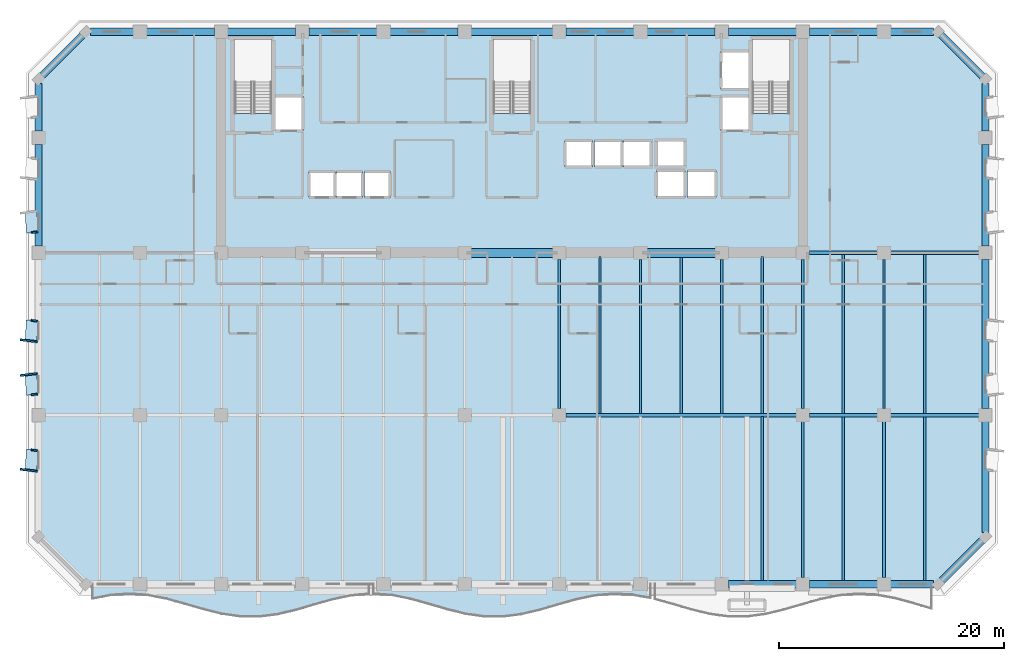
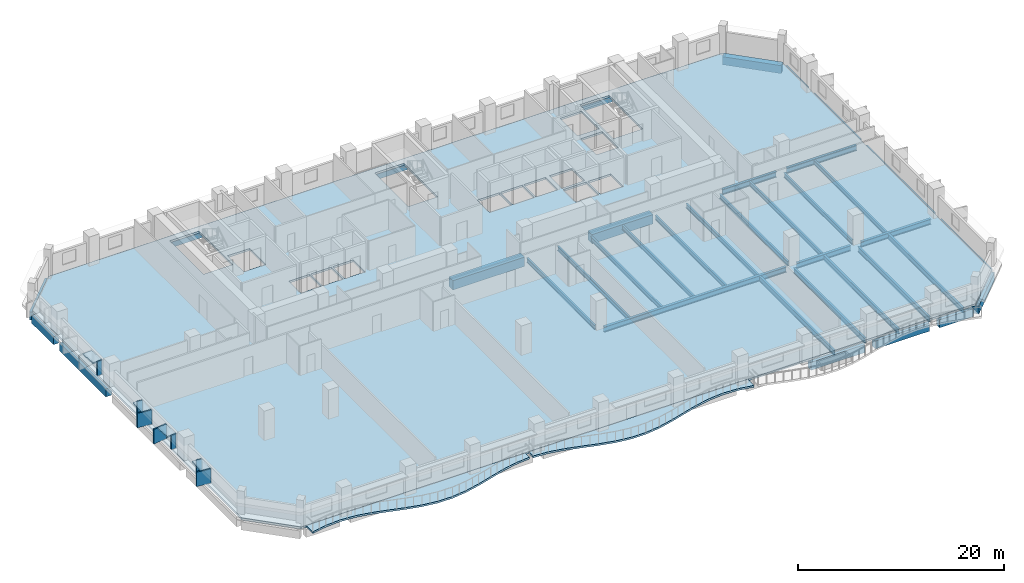
# One storey, part 2 of 14: 45 beams, 11 plates, 3 slabs.
"""IFC4 building model written with IfcOpenShell, lengths in metres."""

from ifc_helpers import new_model, si_unit, direction, frame, origin, origin_2d, place, context, subcontext, project, spatial, polyline, rectangle, i_section, outline, extrude, material, layer, layer_set, material_profile, profile_set, type_object, element, save


model = new_model("IFC4")

# Units and contexts
model_context = context("Model", 3, precision=1e-05, world=origin(), true_north=direction((0.0, 1.0)))
body_context = subcontext(model_context, "Body", "Model", "MODEL_VIEW")
ifc_project = project(units=[si_unit("LENGTHUNIT", "METRE"), si_unit("AREAUNIT", "SQUARE_METRE"), si_unit("VOLUMEUNIT", "CUBIC_METRE"), si_unit("PLANEANGLEUNIT", "RADIAN"), si_unit("MASSUNIT", "GRAM", prefix="KILO")], contexts=[model_context])

# Site, building, storey
site_placement = place(None, origin())
site = spatial("IfcSite", under=ifc_project, at=site_placement, CompositionType="ELEMENT")
building_placement = place(site_placement, origin())
building = spatial("IfcBuilding", under=site, at=building_placement, Name="Kaelvorn Grand Hotel", CompositionType="ELEMENT")
storey_placement = place(building_placement, frame((0.0, 0.0, 119.300048828125)))
storey = spatial("IfcBuildingStorey", under=building, at=storey_placement, Name="L28", CompositionType="ELEMENT", Elevation=119.300048828125)

# Beams
ifc_material_1 = material(Name="Steel S355", Category="steel")
ifc_material_profile_1 = material_profile(ifc_material_1, i_section(OverallWidth=0.300048828125, OverallDepth=0.64990234375, WebThickness=0.01611328125, FlangeThickness=0.031005859375, FilletRadius=0.027099609375, at=origin_2d()), Name="HEB 650")
ifc_profile_set_1 = profile_set([ifc_material_profile_1], Name="Steel S355")
beam_type_1 = type_object("IfcBeamType", Name="BM-G-HEB650-S355", PredefinedType="BEAM", material=ifc_profile_set_1)
beam_1_placement = place(storey_placement, frame((46.784912109375, 15.0, -0.56494140625), z_axis=(1.0, 0.0, 0.0), x_axis=(0.0, 1.0, 0.0)))
element("IfcBeam", 1, at=beam_1_placement, inside=storey, type_object=beam_type_1, Name="L28 Primary Spine Steel Girder G-15 05", PredefinedType="BEAM", context=body_context, shape_type="SweptSolid", body=[
    extrude(i_section(OverallWidth=0.300048828125, OverallDepth=0.64990234375, WebThickness=0.01611328125, FlangeThickness=0.031005859375, FilletRadius=0.027099609375, at=origin_2d()), origin(), (0.0, 0.0, 1.0), 20.43017578125),
])
beam_2_placement = place(storey_placement, frame((68.385009765625, 15.0, -0.56494140625), z_axis=(1.0, 0.0, 0.0), x_axis=(0.0, 1.0, 0.0)))
element("IfcBeam", 2, at=beam_2_placement, inside=storey, type_object=beam_type_1, Name="L28 Primary Spine Steel Girder G-15 06", PredefinedType="BEAM", context=body_context, shape_type="SweptSolid", body=[
    extrude(i_section(OverallWidth=0.300048828125, OverallDepth=0.64990234375, WebThickness=0.01611328125, FlangeThickness=0.031005859375, FilletRadius=0.027099609375, at=origin_2d()), origin(), (0.0, 0.0, 1.0), 6.030029296875),
])
beam_3_placement = place(storey_placement, frame((75.5849609375, 15.0, -0.56494140625), z_axis=(1.0, 0.0, 0.0), x_axis=(0.0, 1.0, 0.0)))
element("IfcBeam", 3, at=beam_3_placement, inside=storey, type_object=beam_type_1, Name="L28 Primary Spine Steel Girder G-15 07", PredefinedType="BEAM", context=body_context, shape_type="SweptSolid", body=[
    extrude(i_section(OverallWidth=0.300048828125, OverallDepth=0.64990234375, WebThickness=0.01611328125, FlangeThickness=0.031005859375, FilletRadius=0.027099609375, at=origin_2d()), origin(), (0.0, 0.0, 1.0), 7.830078125),
])
beam_4_placement = place(storey_placement, frame((68.385009765625, 29.39990234375, -0.56494140625), z_axis=(1.0, 0.0, 0.0), x_axis=(0.0, 1.0, 0.0)))
element("IfcBeam", 4, at=beam_4_placement, inside=storey, type_object=beam_type_1, Name="L28 East Core Wing Steel Girder G-29E 01", PredefinedType="BEAM", context=body_context, shape_type="SweptSolid", body=[
    extrude(i_section(OverallWidth=0.300048828125, OverallDepth=0.64990234375, WebThickness=0.01611328125, FlangeThickness=0.031005859375, FilletRadius=0.027099609375, at=origin_2d()), origin(), (0.0, 0.0, 1.0), 6.030029296875),
])
beam_5_placement = place(storey_placement, frame((75.5849609375, 29.39990234375, -0.56494140625), z_axis=(1.0, 0.0, 0.0), x_axis=(0.0, 1.0, 0.0)))
element("IfcBeam", 5, at=beam_5_placement, inside=storey, type_object=beam_type_1, Name="L28 East Core Wing Steel Girder G-29E 02", PredefinedType="BEAM", context=body_context, shape_type="SweptSolid", body=[
    extrude(i_section(OverallWidth=0.300048828125, OverallDepth=0.64990234375, WebThickness=0.01611328125, FlangeThickness=0.031005859375, FilletRadius=0.027099609375, at=origin_2d()), origin(), (0.0, 0.0, 1.0), 7.830078125),
])
ifc_material_profile_2 = material_profile(ifc_material_1, i_section(OverallWidth=0.209228515625, OverallDepth=0.533203125, WebThickness=0.010009765625, FlangeThickness=0.015625, FilletRadius=0.0126953125, at=origin_2d()), Name="UB 533x210x92")
ifc_profile_set_2 = profile_set([ifc_material_profile_2], Name="Steel S355")
beam_type_2 = type_object("IfcBeamType", Name="BM-J-UB533-S355", PredefinedType="JOIST", material=ifc_profile_set_2)
beam_6_placement = place(storey_placement, frame((46.199951171875, 15.5849609375, -0.506591796875), z_axis=(0.0, 1.0, 0.0), x_axis=(-1.0, 0.0, 0.0)))
element("IfcBeam", 6, at=beam_6_placement, inside=storey, type_object=beam_type_2, Name="L28 Composite Floor Joist JM-13", PredefinedType="JOIST", context=body_context, shape_type="SweptSolid", body=[
    extrude(i_section(OverallWidth=0.209228515625, OverallDepth=0.533203125, WebThickness=0.010009765625, FlangeThickness=0.015625, FilletRadius=0.0126953125, at=origin_2d()), origin(), (0.0, 0.0, 1.0), 13.22998046875),
])
beam_7_placement = place(storey_placement, frame((49.800048828125, 15.135009765625, -0.506591796875), z_axis=(0.0, 1.0, 0.0), x_axis=(-1.0, 0.0, 0.0)))
element("IfcBeam", 7, at=beam_7_placement, inside=storey, type_object=beam_type_2, Name="L28 Composite Floor Joist JM-14", PredefinedType="JOIST", context=body_context, shape_type="SweptSolid", body=[
    extrude(i_section(OverallWidth=0.209228515625, OverallDepth=0.533203125, WebThickness=0.010009765625, FlangeThickness=0.015625, FilletRadius=0.0126953125, at=origin_2d()), origin(), (0.0, 0.0, 1.0), 13.925048828125),
])
beam_8_placement = place(storey_placement, frame((53.39990234375, 15.135009765625, -0.506591796875), z_axis=(0.0, 1.0, 0.0), x_axis=(-1.0, 0.0, 0.0)))
element("IfcBeam", 8, at=beam_8_placement, inside=storey, type_object=beam_type_2, Name="L28 Composite Floor Joist JM-15", PredefinedType="JOIST", context=body_context, shape_type="SweptSolid", body=[
    extrude(i_section(OverallWidth=0.209228515625, OverallDepth=0.533203125, WebThickness=0.010009765625, FlangeThickness=0.015625, FilletRadius=0.0126953125, at=origin_2d()), origin(), (0.0, 0.0, 1.0), 13.679931640625),
])
beam_9_placement = place(storey_placement, frame((57.0, 15.135009765625, -0.506591796875), z_axis=(0.0, 1.0, 0.0), x_axis=(-1.0, 0.0, 0.0)))
element("IfcBeam", 9, at=beam_9_placement, inside=storey, type_object=beam_type_2, Name="L28 Composite Floor Joist JM-16", PredefinedType="JOIST", context=body_context, shape_type="SweptSolid", body=[
    extrude(i_section(OverallWidth=0.209228515625, OverallDepth=0.533203125, WebThickness=0.010009765625, FlangeThickness=0.015625, FilletRadius=0.0126953125, at=origin_2d()), origin(), (0.0, 0.0, 1.0), 13.925048828125),
])
beam_10_placement = place(storey_placement, frame((60.60009765625, 15.135009765625, -0.506591796875), z_axis=(0.0, 1.0, 0.0), x_axis=(-1.0, 0.0, 0.0)))
element("IfcBeam", 10, at=beam_10_placement, inside=storey, type_object=beam_type_2, Name="L28 Composite Floor Joist JM-17", PredefinedType="JOIST", context=body_context, shape_type="SweptSolid", body=[
    extrude(i_section(OverallWidth=0.209228515625, OverallDepth=0.533203125, WebThickness=0.010009765625, FlangeThickness=0.015625, FilletRadius=0.0126953125, at=origin_2d()), origin(), (0.0, 0.0, 1.0), 13.679931640625),
])
beam_11_placement = place(storey_placement, frame((64.199951171875, 15.135009765625, -0.506591796875), z_axis=(0.0, 1.0, 0.0), x_axis=(-1.0, 0.0, 0.0)))
element("IfcBeam", 11, at=beam_11_placement, inside=storey, type_object=beam_type_2, Name="L28 Composite Floor Joist JM-18", PredefinedType="JOIST", context=body_context, shape_type="SweptSolid", body=[
    extrude(i_section(OverallWidth=0.209228515625, OverallDepth=0.533203125, WebThickness=0.010009765625, FlangeThickness=0.015625, FilletRadius=0.0126953125, at=origin_2d()), origin(), (0.0, 0.0, 1.0), 13.925048828125),
])
beam_12_placement = place(storey_placement, frame((67.800048828125, 15.5849609375, -0.506591796875), z_axis=(0.0, 1.0, 0.0), x_axis=(-1.0, 0.0, 0.0)))
element("IfcBeam", 12, at=beam_12_placement, inside=storey, type_object=beam_type_2, Name="L28 Composite Floor Joist JM-19", PredefinedType="JOIST", context=body_context, shape_type="SweptSolid", body=[
    extrude(i_section(OverallWidth=0.209228515625, OverallDepth=0.533203125, WebThickness=0.010009765625, FlangeThickness=0.015625, FilletRadius=0.0126953125, at=origin_2d()), origin(), (0.0, 0.0, 1.0), 13.22998046875),
])
beam_13_placement = place(storey_placement, frame((71.39990234375, 15.135009765625, -0.506591796875), z_axis=(0.0, 1.0, 0.0), x_axis=(-1.0, 0.0, 0.0)))
element("IfcBeam", 13, at=beam_13_placement, inside=storey, type_object=beam_type_2, Name="L28 Composite Floor Joist JM-20", PredefinedType="JOIST", context=body_context, shape_type="SweptSolid", body=[
    extrude(i_section(OverallWidth=0.209228515625, OverallDepth=0.533203125, WebThickness=0.010009765625, FlangeThickness=0.015625, FilletRadius=0.0126953125, at=origin_2d()), origin(), (0.0, 0.0, 1.0), 14.1298828125),
])
beam_14_placement = place(storey_placement, frame((75.0, 15.5849609375, -0.506591796875), z_axis=(0.0, 1.0, 0.0), x_axis=(-1.0, 0.0, 0.0)))
element("IfcBeam", 14, at=beam_14_placement, inside=storey, type_object=beam_type_2, Name="L28 Composite Floor Joist JM-21", PredefinedType="JOIST", context=body_context, shape_type="SweptSolid", body=[
    extrude(i_section(OverallWidth=0.209228515625, OverallDepth=0.533203125, WebThickness=0.010009765625, FlangeThickness=0.015625, FilletRadius=0.0126953125, at=origin_2d()), origin(), (0.0, 0.0, 1.0), 13.22998046875),
])
beam_15_placement = place(storey_placement, frame((78.60009765625, 15.135009765625, -0.506591796875), z_axis=(0.0, 1.0, 0.0), x_axis=(-1.0, 0.0, 0.0)))
element("IfcBeam", 15, at=beam_15_placement, inside=storey, type_object=beam_type_2, Name="L28 Composite Floor Joist JM-22", PredefinedType="JOIST", context=body_context, shape_type="SweptSolid", body=[
    extrude(i_section(OverallWidth=0.209228515625, OverallDepth=0.533203125, WebThickness=0.010009765625, FlangeThickness=0.015625, FilletRadius=0.0126953125, at=origin_2d()), origin(), (0.0, 0.0, 1.0), 14.1298828125),
])
ifc_material_profile_3 = material_profile(ifc_material_1, i_section(OverallWidth=0.22900390625, OverallDepth=0.6123046875, WebThickness=0.011962890625, FlangeThickness=0.01953125, FilletRadius=0.0126953125, at=origin_2d()), Name="UB 610x229x125")
ifc_profile_set_3 = profile_set([ifc_material_profile_3], Name="Steel S355")
beam_type_3 = type_object("IfcBeamType", Name="BM-J-UB610-S355", PredefinedType="JOIST", material=ifc_profile_set_3)
beam_16_placement = place(storey_placement, frame((64.199951171875, 0.31005859375, -0.546142578125), z_axis=(0.0, 1.0, 0.0), x_axis=(-1.0, 0.0, 0.0)))
element("IfcBeam", 16, at=beam_16_placement, inside=storey, type_object=beam_type_3, Name="L28 Composite Floor Joist JS-18", PredefinedType="JOIST", context=body_context, shape_type="SweptSolid", body=[
    extrude(i_section(OverallWidth=0.22900390625, OverallDepth=0.6123046875, WebThickness=0.011962890625, FlangeThickness=0.01953125, FilletRadius=0.0126953125, at=origin_2d()), origin(), (0.0, 0.0, 1.0), 14.554931640625),
])
beam_17_placement = place(storey_placement, frame((67.800048828125, 0.5849609375, -0.546142578125), z_axis=(0.0, 1.0, 0.0), x_axis=(-1.0, 0.0, 0.0)))
element("IfcBeam", 17, at=beam_17_placement, inside=storey, type_object=beam_type_3, Name="L28 Composite Floor Joist JS-19", PredefinedType="JOIST", context=body_context, shape_type="SweptSolid", body=[
    extrude(i_section(OverallWidth=0.22900390625, OverallDepth=0.6123046875, WebThickness=0.011962890625, FlangeThickness=0.01953125, FilletRadius=0.0126953125, at=origin_2d()), origin(), (0.0, 0.0, 1.0), 13.830078125),
])
beam_18_placement = place(storey_placement, frame((71.39990234375, 0.31005859375, -0.546142578125), z_axis=(0.0, 1.0, 0.0), x_axis=(-1.0, 0.0, 0.0)))
element("IfcBeam", 18, at=beam_18_placement, inside=storey, type_object=beam_type_3, Name="L28 Composite Floor Joist JS-20", PredefinedType="JOIST", context=body_context, shape_type="SweptSolid", body=[
    extrude(i_section(OverallWidth=0.22900390625, OverallDepth=0.6123046875, WebThickness=0.011962890625, FlangeThickness=0.01953125, FilletRadius=0.0126953125, at=origin_2d()), origin(), (0.0, 0.0, 1.0), 14.554931640625),
])
beam_19_placement = place(storey_placement, frame((75.0, 0.5849609375, -0.546142578125), z_axis=(0.0, 1.0, 0.0), x_axis=(-1.0, 0.0, 0.0)))
element("IfcBeam", 19, at=beam_19_placement, inside=storey, type_object=beam_type_3, Name="L28 Composite Floor Joist JS-21", PredefinedType="JOIST", context=body_context, shape_type="SweptSolid", body=[
    extrude(i_section(OverallWidth=0.22900390625, OverallDepth=0.6123046875, WebThickness=0.011962890625, FlangeThickness=0.01953125, FilletRadius=0.0126953125, at=origin_2d()), origin(), (0.0, 0.0, 1.0), 13.830078125),
])
beam_20_placement = place(storey_placement, frame((78.60009765625, 0.31005859375, -0.546142578125), z_axis=(0.0, 1.0, 0.0), x_axis=(-1.0, 0.0, 0.0)))
element("IfcBeam", 20, at=beam_20_placement, inside=storey, type_object=beam_type_3, Name="L28 Composite Floor Joist JS-22", PredefinedType="JOIST", context=body_context, shape_type="SweptSolid", body=[
    extrude(i_section(OverallWidth=0.22900390625, OverallDepth=0.6123046875, WebThickness=0.011962890625, FlangeThickness=0.01953125, FilletRadius=0.0126953125, at=origin_2d()), origin(), (0.0, 0.0, 1.0), 14.554931640625),
])
ifc_material_2 = material(Name="Concrete C60/75", Category="concrete")
ifc_material_profile_4 = material_profile(ifc_material_2, rectangle(XDim=0.800048828125, YDim=1.10009765625, at=origin_2d()), Name="RC LINTEL 800x1100")
ifc_profile_set_4 = profile_set([ifc_material_profile_4], Name="Concrete C60/75")
beam_type_4 = type_object("IfcBeamType", Name="BM-LIN-800x1100-C60", PredefinedType="LINTEL", material=ifc_profile_set_4)
beam_21_placement = place(storey_placement, frame((37.97998046875, 29.39990234375, -0.7900390625), z_axis=(1.0, 0.0, 0.0), x_axis=(0.0, 1.0, 0.0)))
element("IfcBeam", 21, at=beam_21_placement, inside=storey, type_object=beam_type_4, Name="L28 Rear-Core Coupling Lintel Beam CB1-02", PredefinedType="LINTEL", context=body_context, shape_type="SweptSolid", body=[
    extrude(rectangle(XDim=0.800048828125, YDim=1.10009765625, at=origin_2d()), origin(), (0.0, 0.0, 1.0), 8.0400390625),
])
beam_22_placement = place(storey_placement, frame((53.580078125, 29.39990234375, -0.7900390625), z_axis=(1.0, 0.0, 0.0), x_axis=(0.0, 1.0, 0.0)))
element("IfcBeam", 22, at=beam_22_placement, inside=storey, type_object=beam_type_4, Name="L28 Rear-Core Coupling Lintel Beam CB1-03", PredefinedType="LINTEL", context=body_context, shape_type="SweptSolid", body=[
    extrude(rectangle(XDim=0.800048828125, YDim=1.10009765625, at=origin_2d()), origin(), (0.0, 0.0, 1.0), 6.83984375),
])
ifc_material_profile_5 = material_profile(ifc_material_2, rectangle(XDim=0.64990234375, YDim=0.949951171875, at=origin_2d()), Name="RC SPANDREL 650x950")
ifc_profile_set_5 = profile_set([ifc_material_profile_5], Name="Concrete C60/75")
beam_type_5 = type_object("IfcBeamType", Name="BM-SP-650x950-C60", PredefinedType="SPANDREL", material=ifc_profile_set_5)
for number, where, z_axis, x_axis, name in (
    (23, (61.18505859375, 0.0, -0.715087890625), (1.0, 0.0, 0.0), (0.0, 1.0, 0.0), "L28 South Perimeter Spandrel 09"),
    (24, (68.385009765625, 0.0, -0.715087890625), (1.0, 0.0, 0.0), (0.0, 1.0, 0.0), "L28 South Perimeter Spandrel 10"),
):
    element("IfcBeam", number, at=place(storey_placement, frame(where, z_axis=z_axis, x_axis=x_axis)), inside=storey, type_object=beam_type_5, Name=name, PredefinedType="SPANDREL", context=body_context, shape_type="SweptSolid", body=[
        extrude(rectangle(XDim=0.64990234375, YDim=0.949951171875, at=origin_2d()), origin(), (0.0, 0.0, 1.0), 6.030029296875),
    ])
for number, where, z_axis, x_axis, name in (
    (25, (75.5849609375, 0.0, -0.715087890625), (1.0, 0.0, 0.0), (0.0, 1.0, 0.0), "L28 South Perimeter Spandrel 11"),
    (26, (4.60498046875, 49.0, -0.715087890625), (1.0, 0.0, 0.0), (0.0, 1.0, 0.0), "L28 North Perimeter Spandrel 01"),
):
    element("IfcBeam", number, at=place(storey_placement, frame(where, z_axis=z_axis, x_axis=x_axis)), inside=storey, type_object=beam_type_5, Name=name, PredefinedType="SPANDREL", context=body_context, shape_type="SweptSolid", body=[
        extrude(rectangle(XDim=0.64990234375, YDim=0.949951171875, at=origin_2d()), origin(), (0.0, 0.0, 1.0), 3.81005859375),
    ])
for number, where, z_axis, x_axis, name in (
    (27, (9.5849609375, 49.0, -0.715087890625), (1.0, 0.0, 0.0), (0.0, 1.0, 0.0), "L28 North Perimeter Spandrel 02"),
    (28, (16.784912109375, 49.0, -0.715087890625), (1.0, 0.0, 0.0), (0.0, 1.0, 0.0), "L28 North Perimeter Spandrel 03"),
):
    element("IfcBeam", number, at=place(storey_placement, frame(where, z_axis=z_axis, x_axis=x_axis)), inside=storey, type_object=beam_type_5, Name=name, PredefinedType="SPANDREL", context=body_context, shape_type="SweptSolid", body=[
        extrude(rectangle(XDim=0.64990234375, YDim=0.949951171875, at=origin_2d()), origin(), (0.0, 0.0, 1.0), 6.030029296875),
    ])
beam_23_placement = place(storey_placement, frame((23.985107421875, 49.0, -0.715087890625), z_axis=(1.0, 0.0, 0.0), x_axis=(0.0, 1.0, 0.0)))
element("IfcBeam", 29, at=beam_23_placement, inside=storey, type_object=beam_type_5, Name="L28 North Perimeter Spandrel 04", PredefinedType="SPANDREL", context=body_context, shape_type="SweptSolid", body=[
    extrude(rectangle(XDim=0.64990234375, YDim=0.949951171875, at=origin_2d()), origin(), (0.0, 0.0, 1.0), 6.02978515625),
])
beam_24_placement = place(storey_placement, frame((31.18505859375, 49.0, -0.715087890625), z_axis=(1.0, 0.0, 0.0), x_axis=(0.0, 1.0, 0.0)))
element("IfcBeam", 30, at=beam_24_placement, inside=storey, type_object=beam_type_5, Name="L28 North Perimeter Spandrel 05", PredefinedType="SPANDREL", context=body_context, shape_type="SweptSolid", body=[
    extrude(rectangle(XDim=0.64990234375, YDim=0.949951171875, at=origin_2d()), origin(), (0.0, 0.0, 1.0), 6.030029296875),
])
beam_25_placement = place(storey_placement, frame((38.385009765625, 49.0, -0.715087890625), z_axis=(1.0, 0.0, 0.0), x_axis=(0.0, 1.0, 0.0)))
element("IfcBeam", 31, at=beam_25_placement, inside=storey, type_object=beam_type_5, Name="L28 North Perimeter Spandrel 06", PredefinedType="SPANDREL", context=body_context, shape_type="SweptSolid", body=[
    extrude(rectangle(XDim=0.64990234375, YDim=0.949951171875, at=origin_2d()), origin(), (0.0, 0.0, 1.0), 7.22998046875),
])
beam_26_placement = place(storey_placement, frame((46.784912109375, 49.0, -0.715087890625), z_axis=(1.0, 0.0, 0.0), x_axis=(0.0, 1.0, 0.0)))
element("IfcBeam", 32, at=beam_26_placement, inside=storey, type_object=beam_type_5, Name="L28 North Perimeter Spandrel 07", PredefinedType="SPANDREL", context=body_context, shape_type="SweptSolid", body=[
    extrude(rectangle(XDim=0.64990234375, YDim=0.949951171875, at=origin_2d()), origin(), (0.0, 0.0, 1.0), 6.030029296875),
])
beam_27_placement = place(storey_placement, frame((53.985107421875, 49.0, -0.715087890625), z_axis=(1.0, 0.0, 0.0), x_axis=(0.0, 1.0, 0.0)))
element("IfcBeam", 33, at=beam_27_placement, inside=storey, type_object=beam_type_5, Name="L28 North Perimeter Spandrel 08", PredefinedType="SPANDREL", context=body_context, shape_type="SweptSolid", body=[
    extrude(rectangle(XDim=0.64990234375, YDim=0.949951171875, at=origin_2d()), origin(), (0.0, 0.0, 1.0), 6.02978515625),
])
for number, where, z_axis, x_axis, name in (
    (34, (61.18505859375, 49.0, -0.715087890625), (1.0, 0.0, 0.0), (0.0, 1.0, 0.0), "L28 North Perimeter Spandrel 09"),
    (35, (68.385009765625, 49.0, -0.715087890625), (1.0, 0.0, 0.0), (0.0, 1.0, 0.0), "L28 North Perimeter Spandrel 10"),
):
    element("IfcBeam", number, at=place(storey_placement, frame(where, z_axis=z_axis, x_axis=x_axis)), inside=storey, type_object=beam_type_5, Name=name, PredefinedType="SPANDREL", context=body_context, shape_type="SweptSolid", body=[
        extrude(rectangle(XDim=0.64990234375, YDim=0.949951171875, at=origin_2d()), origin(), (0.0, 0.0, 1.0), 6.030029296875),
    ])
beam_28_placement = place(storey_placement, frame((75.5849609375, 49.0, -0.715087890625), z_axis=(1.0, 0.0, 0.0), x_axis=(0.0, 1.0, 0.0)))
element("IfcBeam", 36, at=beam_28_placement, inside=storey, type_object=beam_type_5, Name="L28 North Perimeter Spandrel 11", PredefinedType="SPANDREL", context=body_context, shape_type="SweptSolid", body=[
    extrude(rectangle(XDim=0.64990234375, YDim=0.949951171875, at=origin_2d()), origin(), (0.0, 0.0, 1.0), 3.81005859375),
])
beam_29_placement = place(storey_placement, frame((0.0, 29.985107421875, -0.715087890625), z_axis=(0.0, 1.0, 0.0), x_axis=(-1.0, 0.0, 0.0)))
element("IfcBeam", 37, at=beam_29_placement, inside=storey, type_object=beam_type_5, Name="L28 West Perimeter Spandrel 03", PredefinedType="SPANDREL", context=body_context, shape_type="SweptSolid", body=[
    extrude(rectangle(XDim=0.64990234375, YDim=0.949951171875, at=origin_2d()), origin(), (0.0, 0.0, 1.0), 9.02978515625),
])
beam_30_placement = place(storey_placement, frame((0.0, 40.18505859375, -0.715087890625), z_axis=(0.0, 1.0, 0.0), x_axis=(-1.0, 0.0, 0.0)))
element("IfcBeam", 38, at=beam_30_placement, inside=storey, type_object=beam_type_5, Name="L28 West Perimeter Spandrel 04", PredefinedType="SPANDREL", context=body_context, shape_type="SweptSolid", body=[
    extrude(rectangle(XDim=0.64990234375, YDim=0.949951171875, at=origin_2d()), origin(), (0.0, 0.0, 1.0), 4.2099609375),
])
beam_31_placement = place(storey_placement, frame((84.0, 4.60498046875, -0.715087890625), z_axis=(0.0, 1.0, 0.0), x_axis=(-1.0, 0.0, 0.0)))
element("IfcBeam", 39, at=beam_31_placement, inside=storey, type_object=beam_type_5, Name="L28 East Perimeter Spandrel 01", PredefinedType="SPANDREL", context=body_context, shape_type="SweptSolid", body=[
    extrude(rectangle(XDim=0.64990234375, YDim=0.949951171875, at=origin_2d()), origin(), (0.0, 0.0, 1.0), 9.81005859375),
])
beam_32_placement = place(storey_placement, frame((84.0, 15.5849609375, -0.715087890625), z_axis=(0.0, 1.0, 0.0), x_axis=(-1.0, 0.0, 0.0)))
element("IfcBeam", 40, at=beam_32_placement, inside=storey, type_object=beam_type_5, Name="L28 East Perimeter Spandrel 02", PredefinedType="SPANDREL", context=body_context, shape_type="SweptSolid", body=[
    extrude(rectangle(XDim=0.64990234375, YDim=0.949951171875, at=origin_2d()), origin(), (0.0, 0.0, 1.0), 13.22998046875),
])
beam_33_placement = place(storey_placement, frame((84.0, 29.985107421875, -0.715087890625), z_axis=(0.0, 1.0, 0.0), x_axis=(-1.0, 0.0, 0.0)))
element("IfcBeam", 41, at=beam_33_placement, inside=storey, type_object=beam_type_5, Name="L28 East Perimeter Spandrel 03", PredefinedType="SPANDREL", context=body_context, shape_type="SweptSolid", body=[
    extrude(rectangle(XDim=0.64990234375, YDim=0.949951171875, at=origin_2d()), origin(), (0.0, 0.0, 1.0), 9.02978515625),
])
beam_34_placement = place(storey_placement, frame((84.0, 40.18505859375, -0.715087890625), z_axis=(0.0, 1.0, 0.0), x_axis=(-1.0, 0.0, 0.0)))
element("IfcBeam", 42, at=beam_34_placement, inside=storey, type_object=beam_type_5, Name="L28 East Perimeter Spandrel 04", PredefinedType="SPANDREL", context=body_context, shape_type="SweptSolid", body=[
    extrude(rectangle(XDim=0.64990234375, YDim=0.949951171875, at=origin_2d()), origin(), (0.0, 0.0, 1.0), 4.2099609375),
])
for number, where, z_axis, x_axis, name in (
    (43, (79.800048828125, 0.0, -0.715087890625), (0.707106781187, 0.707106781187, 0.0), (-0.707106781187, 0.707106781187, 0.0), "L28 Chamfer Spandrel Beam 1"),
    (44, (84.0, 44.800048828125, -0.715087890625), (-0.707106781187, 0.707106781187, 0.0), (-0.707106781187, -0.707106781187, 0.0), "L28 Chamfer Spandrel Beam 2"),
    (45, (4.199951171875, 49.0, -0.715087890625), (-0.707106781187, -0.707106781187, 0.0), (0.707106781187, -0.707106781187, 0.0), "L28 Chamfer Spandrel Beam 3"),
):
    element("IfcBeam", number, at=place(storey_placement, frame(where, z_axis=z_axis, x_axis=x_axis)), inside=storey, type_object=beam_type_5, Name=name, PredefinedType="SPANDREL", context=body_context, shape_type="SweptSolid", body=[
        extrude(rectangle(XDim=0.64990234375, YDim=0.949951171875, at=origin_2d()), origin(), (0.0, 0.0, 1.0), 5.939697265625),
    ])

# Plates
ifc_material_3 = material(Name="Precast concrete C45/55", Category="concrete")
ifc_layer_1 = layer(ifc_material_3, 0.159912109375)
ifc_layer_set_1 = layer_set([ifc_layer_1], Name="Precast concrete C45/55")
plate_type_1 = type_object("IfcPlateType", Name="PL-FRAME-DEEP-1550", PredefinedType="USERDEFINED", material=ifc_layer_set_1)
for number, where, z_axis, x_axis, name in (
    (46, (-0.864990234375, 10.110107421875, 0.68994140625), (0.0, 0.0, 1.0), (0.121869343405, 0.992546151641, 0.0), "L28 Tilted Precast Window Frame Fin L-W01"),
    (47, (-0.864990234375, 18.60498046875, 0.68994140625), (0.0, 0.0, 1.0), (-0.121869343405, 0.992546151641, 0.0), "L28 Tilted Precast Window Frame Fin R-W02"),
    (48, (-0.864990234375, 21.594970703125, 0.68994140625), (0.0, 0.0, 1.0), (0.121869343405, 0.992546151641, 0.0), "L28 Tilted Precast Window Frame Fin L-W03"),
):
    element("IfcPlate", number, at=place(storey_placement, frame(where, z_axis=z_axis, x_axis=x_axis)), inside=storey, type_object=plate_type_1, Name=name, ObjectType="FLANGE_PLATE", PredefinedType="USERDEFINED", context=body_context, shape_type="SweptSolid", body=[
        extrude(rectangle(XDim=0.159912109375, YDim=1.550048828125, at=origin_2d()), origin(), (0.0, 0.0, 1.0), 1.719970703125),
    ])
ifc_layer_2 = layer(ifc_material_3, 0.159912109375)
ifc_layer_set_2 = layer_set([ifc_layer_2], Name="Precast concrete C45/55")
plate_type_2 = type_object("IfcPlateType", Name="PL-FRAME-HEAD-1050", PredefinedType="USERDEFINED", material=ifc_layer_set_2)
for number, where, z_axis, x_axis, name in (
    (49, (-0.614990234375, 11.0, 2.25), (0.0, 0.0, 1.0), (0.054950179912, 0.998489097451, 0.0), "L28 Precast Window Frame Head Hood H-W01"),
    (50, (-0.614990234375, 17.715087890625, 2.25), (0.0, 0.0, 1.0), (-0.054950179912, 0.998489097451, 0.0), "L28 Precast Window Frame Head Hood H-W02"),
    (51, (-0.614990234375, 22.485107421875, 2.25), (0.0, 0.0, 1.0), (0.054950179912, 0.998489097451, 0.0), "L28 Precast Window Frame Head Hood H-W03"),
    (52, (-0.614990234375, 32.114990234375, 2.25), (0.0, 0.0, 1.0), (-0.054950179912, 0.998489097451, 0.0), "L28 Precast Window Frame Head Hood H-W04"),
):
    element("IfcPlate", number, at=place(storey_placement, frame(where, z_axis=z_axis, x_axis=x_axis)), inside=storey, type_object=plate_type_2, Name=name, ObjectType="FLANGE_PLATE", PredefinedType="USERDEFINED", context=body_context, shape_type="SweptSolid", body=[
        extrude(rectangle(XDim=1.860107421875, YDim=1.050048828125, at=origin_2d()), origin(), (0.0, 0.0, 1.0), 0.159912109375),
    ])
ifc_layer_3 = layer(ifc_material_3, 0.159912109375)
ifc_layer_set_3 = layer_set([ifc_layer_3], Name="Precast concrete C45/55")
plate_type_3 = type_object("IfcPlateType", Name="PL-FRAME-SHAL-550", PredefinedType="USERDEFINED", material=ifc_layer_set_3)
for number, where, z_axis, x_axis, name in (
    (53, (-0.364990234375, 11.889892578125, 0.68994140625), (0.0, 0.0, 1.0), (0.121869343405, 0.992546151641, 0.0), "L28 Tilted Precast Window Frame Fin R-W01"),
    (54, (-0.364990234375, 16.824951171875, 0.68994140625), (0.0, 0.0, 1.0), (-0.121869343405, 0.992546151641, 0.0), "L28 Tilted Precast Window Frame Fin L-W02"),
    (55, (-0.364990234375, 23.375, 0.68994140625), (0.0, 0.0, 1.0), (0.121869343405, 0.992546151641, 0.0), "L28 Tilted Precast Window Frame Fin R-W03"),
    (56, (-0.364990234375, 31.22509765625, 0.68994140625), (0.0, 0.0, 1.0), (-0.121869343405, 0.992546151641, 0.0), "L28 Tilted Precast Window Frame Fin L-W04"),
):
    element("IfcPlate", number, at=place(storey_placement, frame(where, z_axis=z_axis, x_axis=x_axis)), inside=storey, type_object=plate_type_3, Name=name, ObjectType="FLANGE_PLATE", PredefinedType="USERDEFINED", context=body_context, shape_type="SweptSolid", body=[
        extrude(rectangle(XDim=0.159912109375, YDim=0.550048828125, at=origin_2d()), origin(), (0.0, 0.0, 1.0), 1.719970703125),
    ])

# Slabs
ifc_material_4 = material(Name="Concrete C40/50", Category="concrete")
ifc_layer_4 = layer(ifc_material_4, 0.219970703125)
ifc_layer_set_4 = layer_set([ifc_layer_4], Name="Concrete C40/50")
slab_type_1 = type_object("IfcSlabType", Name="SLB-BALC-220-C40", PredefinedType="FLOOR", material=ifc_layer_set_4)
slab_1_placement = place(storey_placement, frame((0.0, 0.0, -0.219970703125)))
element("IfcSlab", 57, at=slab_1_placement, inside=storey, type_object=slab_type_1, Name="L28 Scalloped Wave Balcony Slab 1", PredefinedType="FLOOR", context=body_context, shape_type="SweptSolid", body=[
    extrude(outline(polyline([(4.800048828125, -1.2724609375), (6.435546875, -0.959716796875), (8.071044921875, -0.85009765625), (9.706787109375, -0.968017578125), (11.34228515625, -1.28759765625), (12.977783203125, -1.737548828125), (14.61328125, -2.218017578125), (16.248779296875, -2.622314453125), (17.884521484375, -2.860595703125), (19.52001953125, -2.880126953125), (21.155517578125, -2.676025390625), (22.791015625, -2.29443359375), (24.4267578125, -1.8193359375), (26.062255859375, -1.356689453125), (27.69775390625, -1.00927734375), (29.333251953125, -0.85400390625), (29.333251953125, 0.0), (4.800048828125, 0.0), (4.800048828125, -1.2724609375)])), origin(), (0.0, 0.0, 1.0), 0.219970703125),
])
slab_2_placement = place(storey_placement, frame((0.0, 0.0, -0.219970703125)))
element("IfcSlab", 58, at=slab_2_placement, inside=storey, type_object=slab_type_1, Name="L28 Scalloped Wave Balcony Slab 2", PredefinedType="FLOOR", context=body_context, shape_type="SweptSolid", body=[
    extrude(outline(polyline([(29.7333984375, -0.850341796875), (31.368896484375, -0.976806640625), (33.00439453125, -1.302978515625), (34.639892578125, -1.756103515625), (36.275634765625, -2.235595703125), (37.9111328125, -2.635009765625), (39.546630859375, -2.865478515625), (41.18212890625, -2.876220703125), (42.81787109375, -2.66455078125), (44.453369140625, -2.27734375), (46.0888671875, -1.80078125), (47.724365234375, -1.3408203125), (49.360107421875, -0.99951171875), (50.99560546875, -0.8525390625), (52.631103515625, -0.932861328125), (54.2666015625, -1.22216796875), (54.2666015625, 0.0), (29.7333984375, 0.0), (29.7333984375, -0.850341796875)])), origin(), (0.0, 0.0, 1.0), 0.219970703125),
])
ifc_layer_5 = layer(ifc_material_4, 0.239990234375)
ifc_layer_set_5 = layer_set([ifc_layer_5], Name="Concrete C40/50")
slab_type_2 = type_object("IfcSlabType", Name="SLB-FLR-240-C40", PredefinedType="FLOOR", material=ifc_layer_set_5)
slab_3_placement = place(storey_placement, frame((0.0, 0.0, -0.239990234375)))
element("IfcSlab", 59, at=slab_3_placement, inside=storey, type_object=slab_type_2, Name="L28 Indoor Suspended Floor Slab", PredefinedType="FLOOR", context=body_context, shape_type="SweptSolid", body=[
    extrude(outline(polyline([(4.199951171875, 0.0), (79.800048828125, 0.0), (84.0, 4.199951171875), (84.0, 44.800048828125), (79.800048828125, 49.0), (4.199951171875, 49.0), (0.0, 44.800048828125), (0.0, 4.199951171875), (4.199951171875, 0.0)]), holes=[polyline([(17.39990234375, 41.760009765625), (17.39990234375, 48.300048828125), (20.679931640625, 48.300048828125), (20.679931640625, 41.760009765625), (17.39990234375, 41.760009765625)]), polyline([(40.360107421875, 41.760009765625), (40.360107421875, 48.300048828125), (43.639892578125, 48.300048828125), (43.639892578125, 41.760009765625), (40.360107421875, 41.760009765625)]), polyline([(63.320068359375, 41.760009765625), (63.320068359375, 48.300048828125), (66.60009765625, 48.300048828125), (66.60009765625, 41.760009765625), (63.320068359375, 41.760009765625)]), polyline([(24.0, 34.300048828125), (24.0, 36.60009765625), (26.300048828125, 36.60009765625), (26.300048828125, 34.300048828125), (24.0, 34.300048828125)]), polyline([(26.449951171875, 34.300048828125), (26.449951171875, 36.60009765625), (28.75, 36.60009765625), (28.75, 34.300048828125), (26.449951171875, 34.300048828125)]), polyline([(28.89990234375, 34.300048828125), (28.89990234375, 36.60009765625), (31.199951171875, 36.60009765625), (31.199951171875, 34.300048828125), (28.89990234375, 34.300048828125)]), polyline([(46.699951171875, 37.0), (46.699951171875, 39.35009765625), (49.14990234375, 39.35009765625), (49.14990234375, 37.0), (46.699951171875, 37.0)]), polyline([(49.300048828125, 37.0), (49.300048828125, 39.35009765625), (51.75, 39.35009765625), (51.75, 37.0), (49.300048828125, 37.0)]), polyline([(51.89990234375, 37.0), (51.89990234375, 39.35009765625), (54.35009765625, 39.35009765625), (54.35009765625, 37.0), (51.89990234375, 37.0)]), polyline([(54.800048828125, 34.300048828125), (54.800048828125, 36.699951171875), (57.35009765625, 36.699951171875), (57.35009765625, 34.300048828125), (54.800048828125, 34.300048828125)]), polyline([(57.550048828125, 34.300048828125), (57.550048828125, 36.699951171875), (60.10009765625, 36.699951171875), (60.10009765625, 34.300048828125), (57.550048828125, 34.300048828125)]), polyline([(54.800048828125, 37.0), (54.800048828125, 39.39990234375), (57.35009765625, 39.39990234375), (57.35009765625, 37.0), (54.800048828125, 37.0)]), polyline([(21.0, 40.199951171875), (21.0, 43.300048828125), (23.449951171875, 43.300048828125), (23.449951171875, 40.199951171875), (21.0, 40.199951171875)]), polyline([(60.550048828125, 40.199951171875), (60.550048828125, 43.300048828125), (63.0, 43.300048828125), (63.0, 40.199951171875), (60.550048828125, 40.199951171875)]), polyline([(60.550048828125, 43.89990234375), (60.550048828125, 47.300048828125), (63.0, 47.300048828125), (63.0, 43.89990234375), (60.550048828125, 43.89990234375)])]), origin(), (0.0, 0.0, 1.0), 0.239990234375),
])

save(model, "model.ifc")
